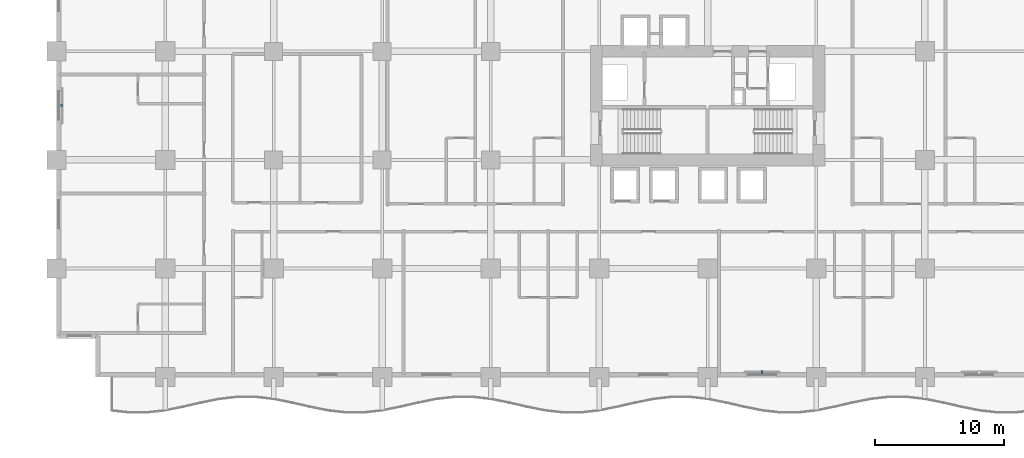
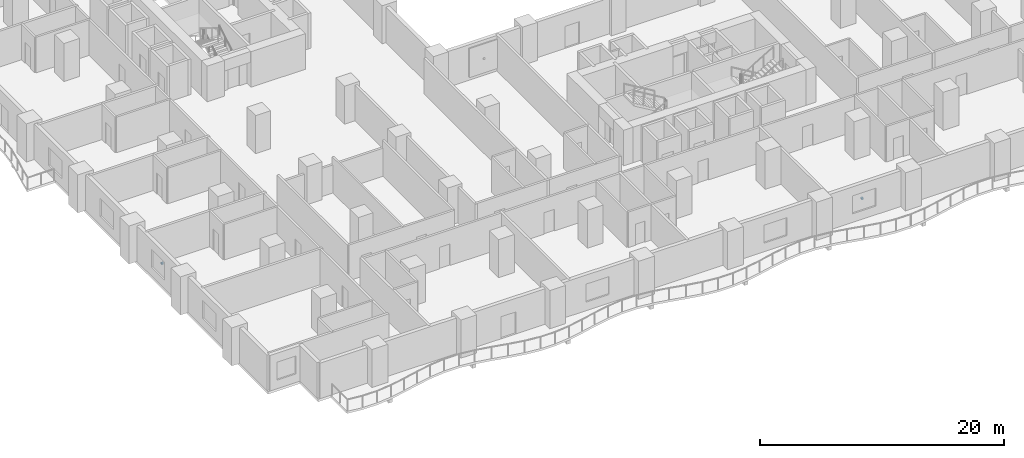
# One storey, part 15 of 22: 2 discrete accessories.
"""IFC4 building model written with IfcOpenShell, lengths in metres."""

from ifc_helpers import new_model, si_unit, direction, frame, origin, origin_2d, place, context, subcontext, project, spatial, rectangle, extrude, material, type_object, element, save


model = new_model("IFC4")

# Units and contexts
model_context = context("Model", 3, precision=1e-05, world=origin(), true_north=direction((0.0, 1.0)))
body_context = subcontext(model_context, "Body", "Model", "MODEL_VIEW")
ifc_project = project(units=[si_unit("LENGTHUNIT", "METRE"), si_unit("AREAUNIT", "SQUARE_METRE"), si_unit("VOLUMEUNIT", "CUBIC_METRE"), si_unit("PLANEANGLEUNIT", "RADIAN"), si_unit("MASSUNIT", "GRAM", prefix="KILO")], contexts=[model_context])

# Site, building, storey
site_placement = place(None, origin())
site = spatial("IfcSite", under=ifc_project, at=site_placement, CompositionType="ELEMENT")
building_placement = place(site_placement, origin())
building = spatial("IfcBuilding", under=site, at=building_placement, Name="Koriwani Terraces Tower", CompositionType="ELEMENT")
storey_placement = place(building_placement, frame((0.0, 0.0, 51.0)))
storey = spatial("IfcBuildingStorey", under=building, at=storey_placement, Name="L11", CompositionType="ELEMENT", Elevation=51.0)

# Discrete accessories
ifc_material = material(Name="Steel ASTM A572 Grade 50", Category="steel")
discrete_accessory_type = type_object("IfcDiscreteAccessoryType", Name="BAGUETTE_STANDOFF_BRACKET", PredefinedType="BRACKET", material=ifc_material)
for number, where, z_axis, x_axis, name in (
    (1, (0.389892578125, 21.0, 1.68505859375), (0.0, 0.0, 1.0), (0.0, 1.0, 0.0), "L11 Terracotta Baguette Bracket (W-6)"),
    (2, (54.60009765625, 0.389892578125, 1.68505859375), (0.0, 0.0, 1.0), (-1.0, 0.0, 0.0), "L11 Terracotta Baguette Bracket (S-18)"),
):
    element("IfcDiscreteAccessory", number, at=place(storey_placement, frame(where, z_axis=z_axis, x_axis=x_axis)), inside=storey, type_object=discrete_accessory_type, Name=name, PredefinedType="BRACKET", context=body_context, shape_type="SweptSolid", body=[
        extrude(rectangle(XDim=0.159912109375, YDim=0.199951171875, at=origin_2d()), origin(), (0.0, 0.0, 1.0), 0.179931640625),
    ])

save(model, "model.ifc")
